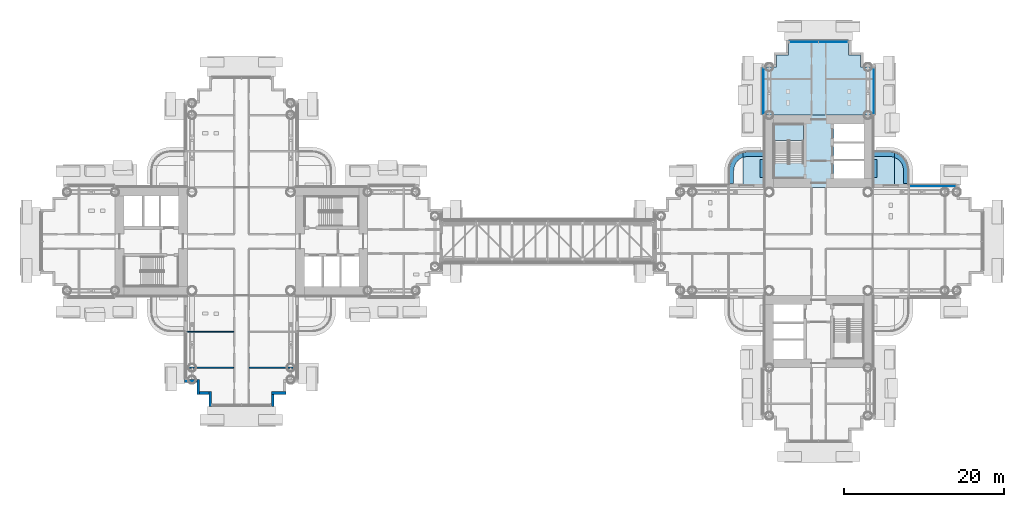
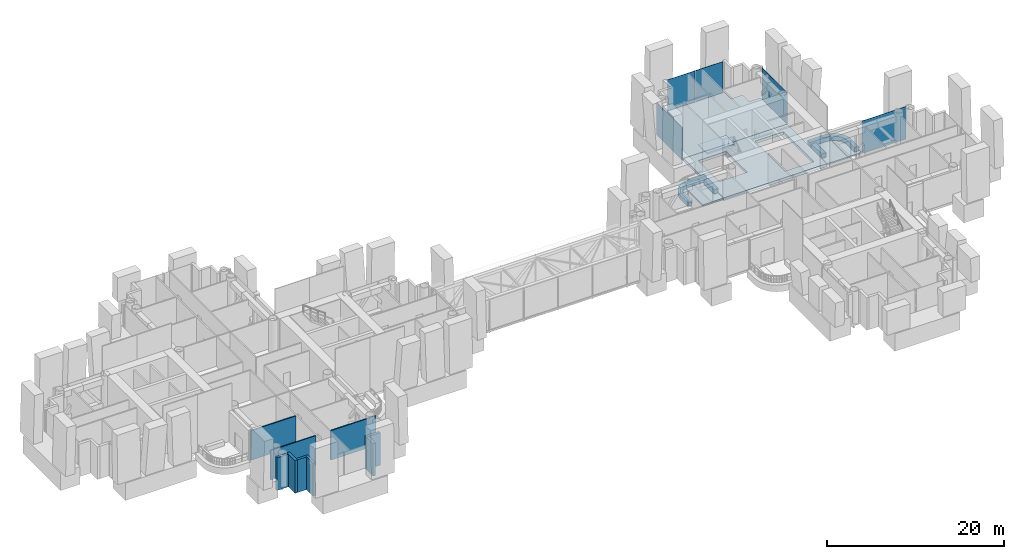
# One storey, part 12 of 27: 12 slabs, 9 walls, 5 plates, 5 elements without a shape of their own.
"""IFC4 building model written with IfcOpenShell, lengths in metres."""

from ifc_helpers import new_model, si_unit, direction, frame, frame_2d, origin, origin_2d, place, context, subcontext, project, spatial, polyline, rectangle, outline, extrude, material, layer, layer_set, type_object, element, aggregate, save


model = new_model("IFC4")

# Units and contexts
model_context = context("Model", 3, precision=1e-05, world=origin(), true_north=direction((0.0, 1.0)))
body_context = subcontext(model_context, "Body", "Model", "MODEL_VIEW")
ifc_project = project(units=[si_unit("LENGTHUNIT", "METRE"), si_unit("AREAUNIT", "SQUARE_METRE"), si_unit("VOLUMEUNIT", "CUBIC_METRE"), si_unit("PLANEANGLEUNIT", "RADIAN"), si_unit("MASSUNIT", "GRAM", prefix="KILO")], contexts=[model_context])

# Site, building, storey
site_placement = place(None, origin())
site = spatial("IfcSite", under=ifc_project, at=site_placement, CompositionType="ELEMENT")
building_placement = place(site_placement, origin())
building = spatial("IfcBuilding", under=site, at=building_placement, Name="Ipe Terrace Towers", CompositionType="ELEMENT")
storey_placement = place(building_placement, frame((0.0, 0.0, 72.10009765625)))
storey = spatial("IfcBuildingStorey", under=building, at=storey_placement, Name="L19", CompositionType="ELEMENT", Elevation=72.10009765625)

# Slabs
ifc_material_1 = material(Name="Concrete C30/37", Category="concrete")
ifc_layer_1 = layer(ifc_material_1, 0.199951171875)
ifc_layer_set_1 = layer_set([ifc_layer_1], Name="BALCONY SLAB 200")
slab_type_1 = type_object("IfcSlabType", Name="BALCONY SLAB 200", PredefinedType="FLOOR", material=ifc_layer_set_1)
slab_1_placement = place(storey_placement, frame((0.0, 0.0, -0.22021484375)))
element("IfcSlab", 1, at=slab_1_placement, inside=storey, type_object=slab_type_1, Name="balcony slab", PredefinedType="FLOOR", context=body_context, shape_type="SweptSolid", body=[
    extrude(outline(polyline([(26.8369140625, 11.22900390625), (26.550048828125, 11.172119140625), (26.550048828125, 6.75), (29.25, 6.75), (29.25, 11.25), (27.14990234375, 11.25), (26.8369140625, 11.22900390625)])), origin(), (0.0, 0.0, 1.0), 0.2001953125),
])
slab_2_placement = place(storey_placement, frame((0.0, 0.0, -0.22021484375)))
element("IfcSlab", 2, at=slab_2_placement, inside=storey, type_object=slab_type_1, Name="balcony slab", PredefinedType="FLOOR", context=body_context, shape_type="SweptSolid", body=[
    extrude(outline(polyline([(45.1630859375, 11.22900390625), (44.85009765625, 11.25), (42.75, 11.25), (42.75, 6.75), (45.449951171875, 6.75), (45.449951171875, 11.172119140625), (45.1630859375, 11.22900390625)])), origin(), (0.0, 0.0, 1.0), 0.2001953125),
])
slab_3_placement = place(storey_placement, frame((0.0, 0.0, -0.22021484375)))
element("IfcSlab", 3, at=slab_3_placement, inside=storey, type_object=slab_type_1, Name="balcony slab", PredefinedType="FLOOR", context=body_context, shape_type="SweptSolid", body=[
    extrude(outline(polyline([(47.25, 6.75), (47.25, 8.85009765625), (47.22900390625, 9.1630859375), (47.16796875, 9.470947265625), (47.06689453125, 9.76806640625), (46.927978515625, 10.050048828125), (46.75390625, 10.31103515625), (46.547119140625, 10.547119140625), (46.31103515625, 10.75390625), (46.050048828125, 10.927978515625), (45.76806640625, 11.06689453125), (45.470947265625, 11.16796875), (45.449951171875, 11.172119140625), (45.449951171875, 6.75), (47.25, 6.75)])), origin(), (0.0, 0.0, 1.0), 0.2001953125),
])
ifc_material_2 = material(Name="Concrete C30/37", Category="concrete")
ifc_layer_2 = layer(ifc_material_2, 0.39990234375)
ifc_layer_set_2 = layer_set([ifc_layer_2], Name="CORE FLOOR SLAB 400 C30-37")
slab_type_2 = type_object("IfcSlabType", Name="CORE FLOOR SLAB 400 C30-37", PredefinedType="FLOOR", material=ifc_layer_set_2)
slab_4_placement = place(storey_placement, frame((0.0, 0.0, -0.400146484375)))
element("IfcSlab", 4, at=slab_4_placement, inside=storey, type_object=slab_type_2, Name="Core floor T2-C1", PredefinedType="FLOOR", context=body_context, shape_type="SweptSolid", body=[
    extrude(outline(polyline([(29.25, 6.75), (29.25, 15.75), (42.75, 15.75), (42.75, 6.75), (29.25, 6.75)]), holes=[polyline([(41.64990234375, 7.85009765625), (41.64990234375, 14.64990234375), (37.89990234375, 14.64990234375), (37.89990234375, 7.85009765625), (41.64990234375, 7.85009765625)]), polyline([(30.449951171875, 9.800048828125), (34.10009765625, 9.800048828125), (34.10009765625, 14.550048828125), (30.449951171875, 14.550048828125), (30.449951171875, 9.800048828125)])]), origin(), (0.0, 0.0, 1.0), 0.400146484375),
])

# Stair, slab
ifc_material_3 = material(Name="Concrete C30/37", Category="concrete")
stair_type = type_object("IfcStairType", Name="Protected exit stair", PredefinedType="HALF_TURN_STAIR", material=ifc_material_3)
stair_placement = place(storey_placement, origin())
stair = element("IfcStair", 5, at=stair_placement, inside=storey, type_object=stair_type, Name="L19 Exit stair T2-C1", PredefinedType="HALF_TURN_STAIR")
ifc_material_4 = material(Name="Concrete C30/37", Category="concrete")
ifc_layer_3 = layer(ifc_material_4, 0.199951171875)
ifc_layer_set_3 = layer_set([ifc_layer_3], Name="Exit stair landing 200")
slab_type_3 = type_object("IfcSlabType", Name="Exit stair landing 200", PredefinedType="LANDING", material=ifc_layer_set_3)
slab_5_placement = place(storey_placement, frame((0.0, 0.0, 2.0498046875)))
slab_5 = element("IfcSlab", 6, at=slab_5_placement, type_object=slab_type_3, Name="T2-ST1 landing 1", PredefinedType="LANDING", context=body_context, shape_type="SweptSolid", body=[
    extrude(outline(polyline([(34.10009765625, 12.56005859375), (34.10009765625, 14.550048828125), (30.449951171875, 14.550048828125), (30.449951171875, 12.56005859375), (34.10009765625, 12.56005859375)])), origin(), (0.0, 0.0, 1.0), 0.2001953125),
])
aggregate(stair, [slab_5])

# Slabs
ifc_material_5 = material(Name="Concrete C40/50", Category="concrete")
ifc_layer_4 = layer(ifc_material_5, 0.39990234375)
ifc_layer_set_4 = layer_set([ifc_layer_4], Name="FLAT PLATE SLAB 400 C40-50")
slab_type_4 = type_object("IfcSlabType", Name="FLAT PLATE SLAB 400 C40-50", PredefinedType="FLOOR", material=ifc_layer_set_4)
slab_6_placement = place(storey_placement, frame((0.0, 0.0, -0.400146484375)))
element("IfcSlab", 7, at=slab_6_placement, inside=storey, type_object=slab_type_4, Name="Slab T2-FS-Z13", PredefinedType="FLOOR", context=body_context, shape_type="SweptSolid", body=[
    extrude(outline(polyline([(30.75, 21.75), (30.75, 23.25), (32.25, 23.25), (32.25, 24.75), (39.75, 24.75), (39.75, 23.25), (41.25, 23.25), (41.25, 21.75), (42.75, 21.75), (42.75, 15.75), (29.25, 15.75), (29.25, 21.75), (30.75, 21.75)])), origin(), (0.0, 0.0, 1.0), 0.400146484375),
])
ifc_material_6 = material(Name="Concrete C30/37", Category="concrete")
ifc_layer_5 = layer(ifc_material_6, 0.60009765625)
ifc_layer_set_5 = layer_set([ifc_layer_5], Name="PLANTER TROUGH 550 x 600")
slab_type_5 = type_object("IfcSlabType", Name="PLANTER TROUGH 550 x 600", PredefinedType="USERDEFINED", material=ifc_layer_set_5)
slab_7_placement = place(storey_placement, frame((0.0, 0.0, -0.02001953125)))
element("IfcSlab", 8, at=slab_7_placement, inside=storey, type_object=slab_type_5, Name="planter", ObjectType="PLANTER", PredefinedType="USERDEFINED", context=body_context, shape_type="SweptSolid", body=[
    extrude(outline(polyline([(26.699951171875, 10.529052734375), (26.923095703125, 10.573974609375), (27.172119140625, 10.590087890625), (29.25, 10.590087890625), (29.25, 11.139892578125), (27.1630859375, 11.139892578125), (27.14501953125, 11.138916015625), (26.868896484375, 11.12109375), (26.8330078125, 11.116943359375), (26.574951171875, 11.06494140625), (26.550048828125, 11.05908203125), (26.550048828125, 10.47802734375), (26.699951171875, 10.529052734375)])), origin(), (0.0, 0.0, 1.0), 0.599853515625),
])
slab_8_placement = place(storey_placement, frame((0.0, 0.0, -0.02001953125)))
element("IfcSlab", 9, at=slab_8_placement, inside=storey, type_object=slab_type_5, Name="planter", ObjectType="PLANTER", PredefinedType="USERDEFINED", context=body_context, shape_type="SweptSolid", body=[
    extrude(outline(polyline([(26.485107421875, 10.4560546875), (26.550048828125, 10.47802734375), (26.550048828125, 11.05908203125), (26.5400390625, 11.055908203125), (26.291015625, 10.970947265625), (26.258056640625, 10.95703125), (26.02099609375, 10.841064453125), (25.989990234375, 10.822998046875), (25.77099609375, 10.677001953125), (25.742919921875, 10.655029296875), (25.5439453125, 10.48095703125), (25.51904296875, 10.4560546875), (25.344970703125, 10.257080078125), (25.322998046875, 10.22900390625), (25.177001953125, 10.010009765625), (25.158935546875, 9.97900390625), (25.04296875, 9.741943359375), (25.029052734375, 9.708984375), (24.944091796875, 9.4599609375), (24.93505859375, 9.425048828125), (24.883056640625, 9.1669921875), (24.87890625, 9.131103515625), (24.861083984375, 8.85498046875), (24.860107421875, 8.8369140625), (24.860107421875, 7.199951171875), (25.409912109375, 7.199951171875), (25.409912109375, 8.827880859375), (25.426025390625, 9.076904296875), (25.470947265625, 9.300048828125), (25.5439453125, 9.514892578125), (25.64404296875, 9.718994140625), (25.77099609375, 9.907958984375), (25.9208984375, 10.0791015625), (26.092041015625, 10.22900390625), (26.281005859375, 10.35595703125), (26.485107421875, 10.4560546875)])), origin(), (0.0, 0.0, 1.0), 0.599853515625),
])
slab_9_placement = place(storey_placement, frame((0.0, 0.0, -0.02001953125)))
element("IfcSlab", 10, at=slab_9_placement, inside=storey, type_object=slab_type_5, Name="planter", ObjectType="PLANTER", PredefinedType="USERDEFINED", context=body_context, shape_type="SweptSolid", body=[
    extrude(outline(polyline([(29.25, 7.949951171875), (29.25, 10.25), (28.699951171875, 10.25), (28.699951171875, 7.949951171875), (29.25, 7.949951171875)])), origin(), (0.0, 0.0, 1.0), 0.599853515625),
])
slab_10_placement = place(storey_placement, frame((0.0, 0.0, -0.02001953125)))
element("IfcSlab", 11, at=slab_10_placement, inside=storey, type_object=slab_type_5, Name="planter", ObjectType="PLANTER", PredefinedType="USERDEFINED", context=body_context, shape_type="SweptSolid", body=[
    extrude(outline(polyline([(45.300048828125, 10.529052734375), (45.449951171875, 10.47802734375), (45.449951171875, 11.05908203125), (45.425048828125, 11.06494140625), (45.1669921875, 11.116943359375), (45.131103515625, 11.12109375), (44.85498046875, 11.138916015625), (44.8369140625, 11.139892578125), (42.75, 11.139892578125), (42.75, 10.590087890625), (44.827880859375, 10.590087890625), (45.076904296875, 10.573974609375), (45.300048828125, 10.529052734375)])), origin(), (0.0, 0.0, 1.0), 0.599853515625),
])
slab_11_placement = place(storey_placement, frame((0.0, 0.0, -0.02001953125)))
element("IfcSlab", 12, at=slab_11_placement, inside=storey, type_object=slab_type_5, Name="planter", ObjectType="PLANTER", PredefinedType="USERDEFINED", context=body_context, shape_type="SweptSolid", body=[
    extrude(outline(polyline([(45.514892578125, 10.4560546875), (45.718994140625, 10.35595703125), (45.907958984375, 10.22900390625), (46.0791015625, 10.0791015625), (46.22900390625, 9.907958984375), (46.35595703125, 9.718994140625), (46.4560546875, 9.514892578125), (46.529052734375, 9.300048828125), (46.573974609375, 9.076904296875), (46.590087890625, 8.827880859375), (46.590087890625, 7.199951171875), (47.139892578125, 7.199951171875), (47.139892578125, 8.8369140625), (47.138916015625, 8.85498046875), (47.12109375, 9.131103515625), (47.116943359375, 9.1669921875), (47.06494140625, 9.425048828125), (47.055908203125, 9.4599609375), (46.970947265625, 9.708984375), (46.95703125, 9.741943359375), (46.841064453125, 9.97900390625), (46.822998046875, 10.010009765625), (46.677001953125, 10.22900390625), (46.655029296875, 10.257080078125), (46.48095703125, 10.4560546875), (46.4560546875, 10.48095703125), (46.257080078125, 10.655029296875), (46.22900390625, 10.677001953125), (46.010009765625, 10.822998046875), (45.97900390625, 10.841064453125), (45.741943359375, 10.95703125), (45.708984375, 10.970947265625), (45.4599609375, 11.055908203125), (45.449951171875, 11.05908203125), (45.449951171875, 10.47802734375), (45.514892578125, 10.4560546875)])), origin(), (0.0, 0.0, 1.0), 0.599853515625),
])
slab_12_placement = place(storey_placement, frame((0.0, 0.0, -0.02001953125)))
element("IfcSlab", 13, at=slab_12_placement, inside=storey, type_object=slab_type_5, Name="planter", ObjectType="PLANTER", PredefinedType="USERDEFINED", context=body_context, shape_type="SweptSolid", body=[
    extrude(outline(polyline([(42.75, 7.949951171875), (43.300048828125, 7.949951171875), (43.300048828125, 10.25), (42.75, 10.25), (42.75, 7.949951171875)])), origin(), (0.0, 0.0, 1.0), 0.599853515625),
])

# Curtain wall, plates
ifc_material_7 = material(Name="Aluminium alloy 6063-T6", Category="aluminium")
ifc_layer_6 = layer(ifc_material_7, 0.320068359375)
ifc_layer_set_6 = layer_set([ifc_layer_6], Name="REFUGE FLOOR CURTAIN WALL")
curtain_wall_type = type_object("IfcCurtainWallType", Name="REFUGE FLOOR CURTAIN WALL", PredefinedType="NOTDEFINED", material=ifc_layer_set_6)
curtain_wall_1_placement = place(storey_placement, origin())
curtain_wall_1 = element("IfcCurtainWall", 14, at=curtain_wall_1_placement, inside=storey, type_object=curtain_wall_type, Name="T2-CW-L19-25a curtain wall", PredefinedType="NOTDEFINED")
ifc_material_8 = material(Name="Glass, clear laminated", Category="glass")
ifc_layer_7 = layer(ifc_material_8, 0.035888671875)
ifc_layer_set_7 = layer_set([ifc_layer_7], Name="REFUGE FLOOR GLASS PANEL 36")
plate_type_1 = type_object("IfcPlateType", Name="REFUGE FLOOR GLASS PANEL 36", PredefinedType="CURTAIN_PANEL", material=ifc_layer_set_7)
plate_1_placement = place(storey_placement, frame((37.82373046875, 24.8701171875, -0.300048828125), z_axis=(0.0, 0.0, 1.0), x_axis=(-1.0, 0.0, 0.0)))
plate_1 = element("IfcPlate", 15, at=plate_1_placement, type_object=plate_type_1, Name="T2-CW-L19-25a panel 1", PredefinedType="CURTAIN_PANEL", context=body_context, shape_type="SweptSolid", body=[
    extrude(rectangle(XDim=3.572509765625, YDim=0.035888671875, at=origin_2d()), origin(), (0.0, 0.0, 1.0), 4.5),
])
plate_2_placement = place(storey_placement, frame((34.17626953125, 24.8701171875, -0.300048828125), z_axis=(0.0, 0.0, 1.0), x_axis=(-1.0, 0.0, 0.0)))
plate_2 = element("IfcPlate", 16, at=plate_2_placement, type_object=plate_type_1, Name="T2-CW-L19-25a panel 2", PredefinedType="CURTAIN_PANEL", context=body_context, shape_type="SweptSolid", body=[
    extrude(rectangle(XDim=3.572509765625, YDim=0.035888671875, at=origin_2d()), origin(), (0.0, 0.0, 1.0), 4.5),
])
aggregate(curtain_wall_1, [plate_1, plate_2])

# Curtain wall, plate
curtain_wall_2_placement = place(storey_placement, origin())
curtain_wall_2 = element("IfcCurtainWall", 17, at=curtain_wall_2_placement, inside=storey, type_object=curtain_wall_type, Name="T2-CW-L19-17a curtain wall", PredefinedType="NOTDEFINED")
ifc_material_9 = material(Name="Insulated spandrel panel, stone-effect cladding", Category="masonry")
ifc_layer_8 = layer(ifc_material_9, 0.035888671875)
ifc_layer_set_8 = layer_set([ifc_layer_8], Name="REFUGE FLOOR SPANDREL PANEL 36")
plate_type_2 = type_object("IfcPlateType", Name="REFUGE FLOOR SPANDREL PANEL 36", PredefinedType="CURTAIN_PANEL", material=ifc_layer_set_8)
plate_3_placement = place(storey_placement, frame((50.25, 6.8701171875, -0.300048828125), z_axis=(0.0, 0.0, 1.0), x_axis=(-1.0, 0.0, 0.0)))
plate_3 = element("IfcPlate", 18, at=plate_3_placement, type_object=plate_type_2, Name="T2-CW-L19-17a panel 1", PredefinedType="CURTAIN_PANEL", context=body_context, shape_type="SweptSolid", body=[
    extrude(rectangle(XDim=5.719970703125, YDim=0.035888671875, at=origin_2d()), origin(), (0.0, 0.0, 1.0), 4.5),
])
aggregate(curtain_wall_2, [plate_3])

curtain_wall_3_placement = place(storey_placement, origin())
curtain_wall_3 = element("IfcCurtainWall", 19, at=curtain_wall_3_placement, inside=storey, type_object=curtain_wall_type, Name="T2-CW-L19-20b curtain wall", PredefinedType="NOTDEFINED")
plate_4_placement = place(storey_placement, frame((42.8701171875, 18.75048828125, -0.300048828125), z_axis=(0.0, 0.0, 1.0), x_axis=(0.0, 1.0, 0.0)))
plate_4 = element("IfcPlate", 20, at=plate_4_placement, type_object=plate_type_2, Name="T2-CW-L19-20b panel 1", PredefinedType="CURTAIN_PANEL", context=body_context, shape_type="SweptSolid", body=[
    extrude(rectangle(XDim=5.718994140625, YDim=0.035888671875, at=origin_2d()), origin(), (0.0, 0.0, 1.0), 4.5),
])
aggregate(curtain_wall_3, [plate_4])

curtain_wall_4_placement = place(storey_placement, origin())
curtain_wall_4 = element("IfcCurtainWall", 21, at=curtain_wall_4_placement, inside=storey, type_object=curtain_wall_type, Name="T2-CW-L19-30a curtain wall", PredefinedType="NOTDEFINED")
plate_5_placement = place(storey_placement, frame((29.1298828125, 18.75048828125, -0.300048828125), z_axis=(0.0, 0.0, 1.0), x_axis=(0.0, -1.0, 0.0)))
plate_5 = element("IfcPlate", 22, at=plate_5_placement, type_object=plate_type_2, Name="T2-CW-L19-30a panel 1", PredefinedType="CURTAIN_PANEL", context=body_context, shape_type="SweptSolid", body=[
    extrude(rectangle(XDim=5.718994140625, YDim=0.035888671875, at=origin_2d()), origin(), (0.0, 0.0, 1.0), 4.5),
])
aggregate(curtain_wall_4, [plate_5])

# Walls
ifc_material_10 = material(Name="Concrete C40/50 with buff precast cladding", Category="concrete")
ifc_layer_9 = layer(ifc_material_10, 0.320068359375)
ifc_layer_set_9 = layer_set([ifc_layer_9], Name="BUFF CLADDING WALL 320")
wall_type_1 = type_object("IfcWallType", Name="BUFF CLADDING WALL 320", PredefinedType="STANDARD", material=ifc_layer_set_9)
wall_1_placement = place(storey_placement, frame((-43.070068359375, -17.409912109375, -0.300048828125), z_axis=(0.0, 0.0, 1.0), x_axis=(1.0, 0.0, 0.0)))
element("IfcWall", 23, at=wall_1_placement, inside=storey, type_object=wall_type_1, Name="T1-W-L19-08a wall", PredefinedType="STANDARD", context=body_context, shape_type="SweptSolid", body=[
    extrude(rectangle(XDim=1.5, YDim=0.320068359375, at=frame_2d((0.75, 0.0))), origin(), (0.0, 0.0, 1.0), 4.5),
])
wall_2_placement = place(storey_placement, frame((-41.409912109375, -17.25, -0.300048828125), z_axis=(0.0, 0.0, 1.0), x_axis=(0.0, -1.0, 0.0)))
element("IfcWall", 24, at=wall_2_placement, inside=storey, type_object=wall_type_1, Name="T1-W-L19-09a wall", PredefinedType="STANDARD", context=body_context, shape_type="SweptSolid", body=[
    extrude(rectangle(XDim=1.820068359375, YDim=0.320068359375, at=frame_2d((0.91015625, 0.0))), origin(), (0.0, 0.0, 1.0), 4.5),
])
wall_3_placement = place(storey_placement, frame((-41.25, -18.909912109375, -0.300048828125), z_axis=(0.0, 0.0, 1.0), x_axis=(1.0, 0.0, 0.0)))
element("IfcWall", 25, at=wall_3_placement, inside=storey, type_object=wall_type_1, Name="T1-W-L19-10a wall", PredefinedType="STANDARD", context=body_context, shape_type="SweptSolid", body=[
    extrude(rectangle(XDim=1.179931640625, YDim=0.320068359375, at=frame_2d((0.58984375, 0.0))), origin(), (0.0, 0.0, 1.0), 4.5),
])
wall_4_placement = place(storey_placement, frame((-39.909912109375, -18.75, -0.300048828125), z_axis=(0.0, 0.0, 1.0), x_axis=(0.0, -1.0, 0.0)))
element("IfcWall", 26, at=wall_4_placement, inside=storey, type_object=wall_type_1, Name="T1-W-L19-11a wall", PredefinedType="STANDARD", context=body_context, shape_type="SweptSolid", body=[
    extrude(rectangle(XDim=1.820068359375, YDim=0.320068359375, at=frame_2d((0.91015625, 0.0))), origin(), (0.0, 0.0, 1.0), 4.5),
])
wall_5_placement = place(storey_placement, frame((-32.090087890625, -20.570068359375, -0.300048828125), z_axis=(0.0, 0.0, 1.0), x_axis=(0.0, 1.0, 0.0)))
element("IfcWall", 27, at=wall_5_placement, inside=storey, type_object=wall_type_1, Name="T1-W-L19-13a wall", PredefinedType="STANDARD", context=body_context, shape_type="SweptSolid", body=[
    extrude(rectangle(XDim=1.5, YDim=0.320068359375, at=frame_2d((0.75, 0.0))), origin(), (0.0, 0.0, 1.0), 4.5),
])
wall_6_placement = place(storey_placement, frame((-32.25, -18.909912109375, -0.300048828125), z_axis=(0.0, 0.0, 1.0), x_axis=(1.0, 0.0, 0.0)))
element("IfcWall", 28, at=wall_6_placement, inside=storey, type_object=wall_type_1, Name="T1-W-L19-14a wall", PredefinedType="STANDARD", context=body_context, shape_type="SweptSolid", body=[
    extrude(rectangle(XDim=1.820068359375, YDim=0.320068359375, at=frame_2d((0.91015625, 0.0))), origin(), (0.0, 0.0, 1.0), 4.5),
])
ifc_material_11 = material(Name="Gypsum board partition", Category="plasterboard")
ifc_layer_10 = layer(ifc_material_11, 0.14990234375)
ifc_layer_set_10 = layer_set([ifc_layer_10], Name="Gypsum board partition 150 mm")
wall_type_2 = type_object("IfcWallType", Name="Gypsum board partition 150 mm", PredefinedType="PARTITIONING", material=ifc_layer_set_10)
for number, where, z_axis, x_axis, name in (
    (29, (-35.02490234375, -15.75, 0.0), (0.0, 0.0, 1.0), (1.0, 0.0, 0.0), "Gypsum board partition T1 L19 sp-Sm-dp1"),
    (30, (-36.97509765625, -15.75, 0.0), (0.0, 0.0, 1.0), (-1.0, 0.0, 0.0), "Gypsum board partition T1 L19 sp-Sm-dm1"),
    (31, (-36.97509765625, -11.25, 0.0), (0.0, 0.0, 1.0), (-1.0, 0.0, 0.0), "Gypsum board partition T1 L19 sp-Sm-dm2"),
):
    element("IfcWall", number, at=place(storey_placement, frame(where, z_axis=z_axis, x_axis=x_axis)), inside=storey, type_object=wall_type_2, Name=name, PredefinedType="PARTITIONING", context=body_context, shape_type="SweptSolid", body=[
        extrude(rectangle(XDim=5.875, YDim=0.14990234375, at=frame_2d((2.9375, 0.0))), origin(), (0.0, 0.0, 1.0), 4.079833984375),
    ])

save(model, "model.ifc")
